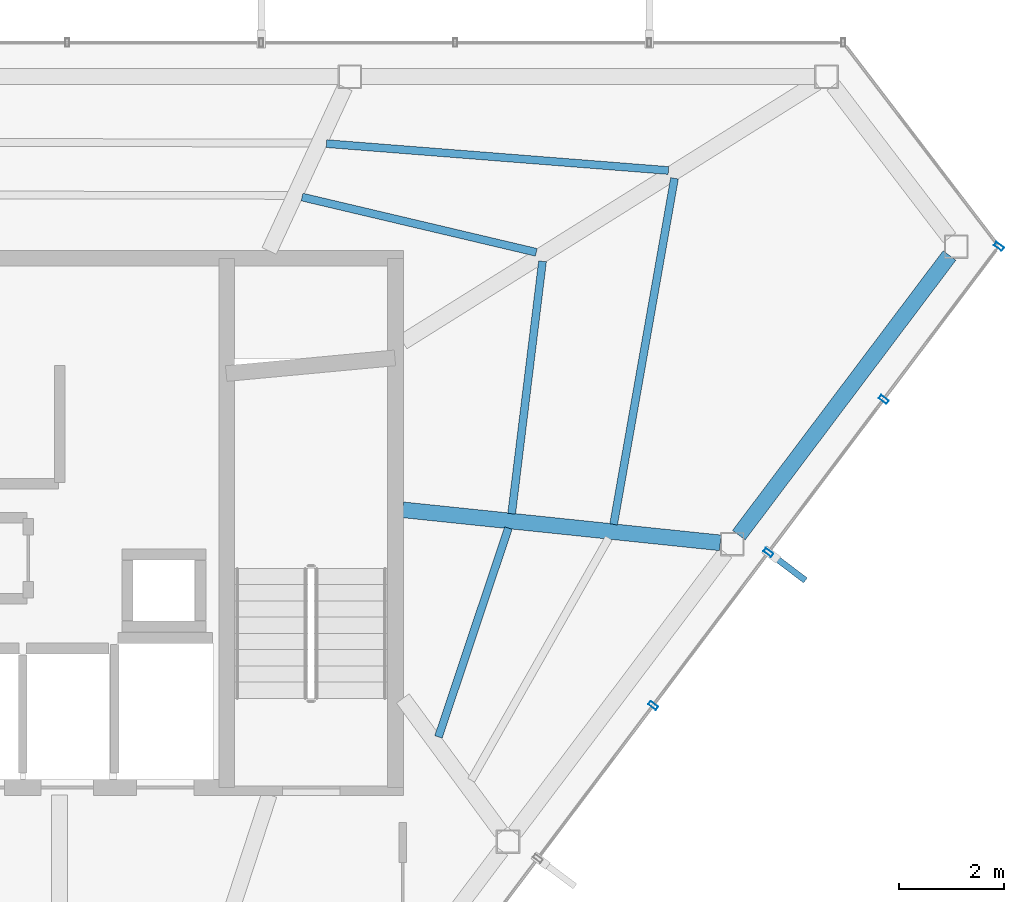
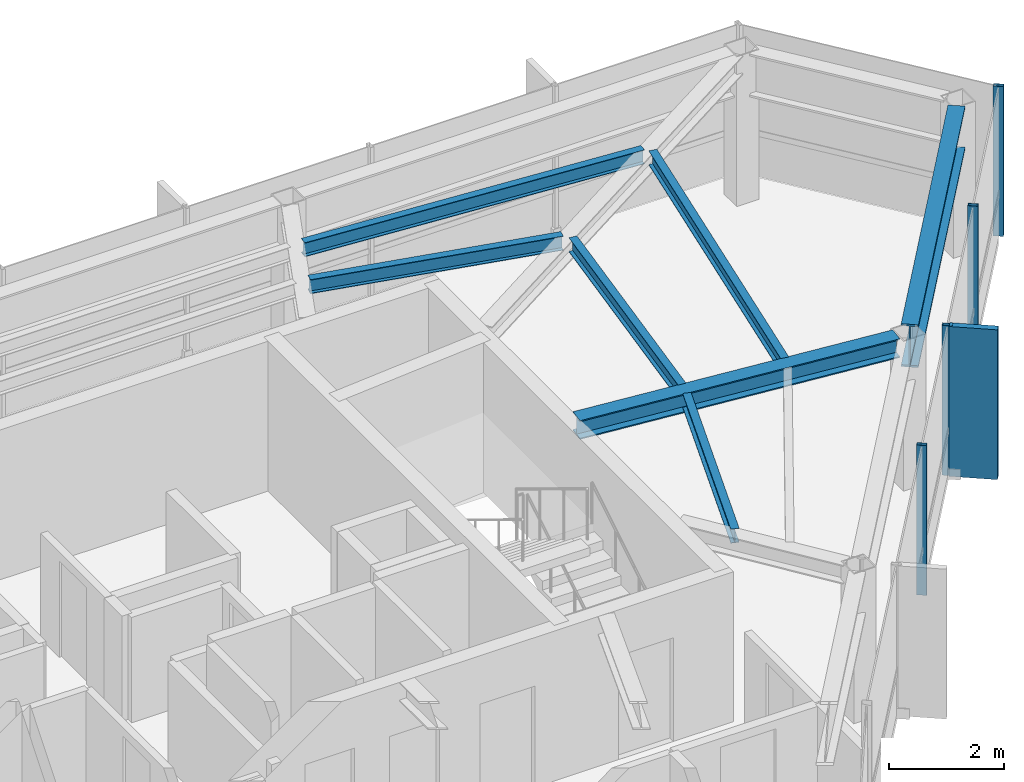
# One storey, part 17 of 22: 7 beams, 5 members, 1 element without a shape of its own.
"""IFC4 building model written with IfcOpenShell, lengths in metres."""

import ifcopenshell
import ifcopenshell.guid

model = None  # the IFC model being written
_history = None  # IfcOwnerHistory: only IFC2X3 demands one
_inside = {}  # id of a spatial element -> (the spatial element, [elements in it])
_under = {}  # id of a project, library or spatial element -> (it, [spatial elements below it])
_declared = {}  # id of a project -> (the project, [libraries it declares])
_typed = {}  # id of a type object -> (the type object, [elements of that type])
_made_of = {}  # id of a material, layer set ... -> (it, [elements and type objects made of it])


def new_model(schema):
    """Start an empty IFC model of exactly this schema.

    Asked for "IFC4X3", IfcOpenShell would pick the latest addendum, in which some entities
    have other attributes; the version numbers below select the first issue.
    IFC2X3 requires an IfcOwnerHistory on every rooted entity: one is made here for all.
    """
    global model, _history
    if schema == "IFC4X3":
        model = ifcopenshell.file(schema_version=(4, 3, 0, 0))
    else:
        model = ifcopenshell.file(schema=schema)
    _inside.clear()
    _under.clear()
    _declared.clear()
    _typed.clear()
    _made_of.clear()
    _history = None
    if model.schema == "IFC2X3":
        org = make("IfcOrganization", Name="unknown")
        user = make(
            "IfcPersonAndOrganization",
            ThePerson=make("IfcPerson", FamilyName="unknown"),
            TheOrganization=org,
        )
        app = make(
            "IfcApplication",
            ApplicationDeveloper=org,
            Version="unknown",
            ApplicationFullName="unknown",
            ApplicationIdentifier="unknown",
        )
        _history = make(
            "IfcOwnerHistory",
            OwningUser=user,
            OwningApplication=app,
            ChangeAction="ADDED",
            CreationDate=0,
        )
    return model


def make(cls, **values):
    """One entity of the class cls with the attributes given. An attribute that is None is left unset."""
    return model.create_entity(
        cls, **{name: value for name, value in values.items() if value is not None}
    )


def rooted(cls, **values):
    """An entity with a GlobalId (a new one), such as an element, a storey or a relation."""
    return make(cls, GlobalId=ifcopenshell.guid.new(), OwnerHistory=_history, **values)


def si_unit(unit_type, name, prefix=None):
    """IfcSIUnit, for example si_unit("LENGTHUNIT", "METRE", prefix="MILLI")."""
    return make("IfcSIUnit", UnitType=unit_type, Prefix=prefix, Name=name)


def assignment(units):
    """IfcUnitAssignment: the units of a project."""
    return None if units is None else make("IfcUnitAssignment", Units=units)


def point(xyz):
    """IfcCartesianPoint."""
    return None if xyz is None else make("IfcCartesianPoint", Coordinates=xyz)


def direction(xyz):
    """IfcDirection."""
    return None if xyz is None else make("IfcDirection", DirectionRatios=xyz)


def frame(location, z_axis=None, x_axis=None):
    """IfcAxis2Placement3D, a coordinate frame: its origin and axes. An axis left out is left unset."""
    return make(
        "IfcAxis2Placement3D",
        Location=point(location),
        Axis=direction(z_axis),
        RefDirection=direction(x_axis),
    )


def frame_2d(location, x_axis=None):
    """IfcAxis2Placement2D, a coordinate frame in the plane: its origin and x axis."""
    return make(
        "IfcAxis2Placement2D", Location=point(location), RefDirection=direction(x_axis)
    )


def origin():
    """The frame at (0, 0, 0) with its axes left unset."""
    return frame((0.0, 0.0, 0.0))


def origin_2d():
    """The frame at (0, 0) in the plane with its x axis left unset."""
    return frame_2d((0.0, 0.0))


def place(relative_to, where):
    """IfcLocalPlacement: puts the frame where relative to a parent placement (None: the world)."""
    return make(
        "IfcLocalPlacement", PlacementRelTo=relative_to, RelativePlacement=where
    )


def context(
    kind, dimensions, precision=None, world=None, true_north=None, identifier=None
):
    """IfcGeometricRepresentationContext, for example the 3D "Model" context."""
    return make(
        "IfcGeometricRepresentationContext",
        ContextIdentifier=identifier,
        ContextType=kind,
        CoordinateSpaceDimension=dimensions,
        Precision=precision,
        WorldCoordinateSystem=world,
        TrueNorth=true_north,
    )


def subcontext(parent, identifier, kind, view, scale=None):
    """IfcGeometricRepresentationSubContext, for example "Body" below "Model"."""
    return make(
        "IfcGeometricRepresentationSubContext",
        ContextIdentifier=identifier,
        ContextType=kind,
        ParentContext=parent,
        TargetScale=scale,
        TargetView=view,
    )


def project(units=None, contexts=None):
    """IfcProject with its units and contexts."""
    return rooted(
        "IfcProject",
        Name="project",
        RepresentationContexts=contexts,
        UnitsInContext=assignment(units),
    )


def spatial(cls, under=None, at=None, **own):
    """A site, building, storey or space (cls), placed at a placement, below another one or the project."""
    s = rooted(cls, ObjectPlacement=at, **own)
    if under is not None:
        _under.setdefault(under.id(), (under, []))[1].append(s)
    return s


def profile(cls, at=None, kind="AREA", **sizes):
    """A parametric profile (cls). Its sizes go by their IFC names, for example OverallWidth=200.0."""
    return make(cls, ProfileType=kind, Position=at, **sizes)


def rectangle(**sizes):
    """IfcRectangleProfileDef."""
    return profile("IfcRectangleProfileDef", **sizes)


def hollow_rectangle(**sizes):
    """IfcRectangleHollowProfileDef."""
    return profile("IfcRectangleHollowProfileDef", **sizes)


def i_section(**sizes):
    """IfcIShapeProfileDef."""
    return profile("IfcIShapeProfileDef", **sizes)


def extrude(swept, where, along, depth):
    """IfcExtrudedAreaSolid: the profile swept, set in the frame where, extruded along a direction by depth."""
    return make(
        "IfcExtrudedAreaSolid",
        SweptArea=swept,
        Position=where,
        ExtrudedDirection=direction(along),
        Depth=depth,
    )


def shape(context_of_items, identifier, shape_type, items):
    """IfcShapeRepresentation: the items that make up one representation, for example the "Body"."""
    return make(
        "IfcShapeRepresentation",
        ContextOfItems=context_of_items,
        RepresentationIdentifier=identifier,
        RepresentationType=shape_type,
        Items=items,
    )


def material(Name=None, Category=None):
    """IfcMaterial."""
    return make("IfcMaterial", Name=Name, Category=Category)


def layer(
    of_material, thickness, ventilated=None, Name=None, Category=None, Priority=None
):
    """IfcMaterialLayer: one layer of a wall or slab, of a material (None: an air gap)."""
    return make(
        "IfcMaterialLayer",
        Material=of_material,
        LayerThickness=thickness,
        IsVentilated=ventilated,
        Name=Name,
        Category=Category,
        Priority=Priority,
    )


def layer_set(layers, Name=None):
    """IfcMaterialLayerSet."""
    return make("IfcMaterialLayerSet", MaterialLayers=layers, LayerSetName=Name)


def material_profile(
    of_material, cross_section, Name=None, Category=None, Priority=None
):
    """IfcMaterialProfile: a cross section and its material."""
    return make(
        "IfcMaterialProfile",
        Name=Name,
        Material=of_material,
        Profile=cross_section,
        Priority=Priority,
        Category=Category,
    )


def profile_set(profiles, Name=None, composite=None):
    """IfcMaterialProfileSet."""
    return make(
        "IfcMaterialProfileSet",
        Name=Name,
        MaterialProfiles=profiles,
        CompositeProfile=composite,
    )


def made_of(thing, what):
    """Note that an element or type object is made of a material, layer set ...; save() writes the relation."""
    if what is not None:
        _made_of.setdefault(what.id(), (what, []))[1].append(thing)
    return thing


def type_object(cls, material=None, **own):
    """A type object (cls), such as IfcWallType, which elements share."""
    return made_of(rooted(cls, **own), material)


def element(
    cls,
    number,
    at=None,
    inside=None,
    cuts=None,
    type_object=None,
    material=None,
    context=None,
    identifier="Body",
    shape_type=None,
    held_by="IfcProductDefinitionShape",
    body=None,
    shapes=None,
    **own,
):
    """One element of the class cls, such as IfcWall. Its Tag is "e" and its number.

    at: its placement. inside: the storey or other place that contains it. cuts: it is an
    opening in that element (IfcRelVoidsElement). A single representation is given by context,
    identifier, shape_type and body (its items); several are given by shapes. held_by: the class
    of the entity that holds the representations. save() writes the other relations.
    """
    e = rooted(cls, Tag="e%d" % number, ObjectPlacement=at, **own)
    if body is not None:
        shapes = [shape(context, identifier, shape_type, body)]
    if shapes is not None:
        e.Representation = make(held_by, Representations=shapes)
    if inside is not None:
        _inside.setdefault(inside.id(), (inside, []))[1].append(e)
    if cuts is not None:
        rooted(
            "IfcRelVoidsElement", RelatingBuildingElement=cuts, RelatedOpeningElement=e
        )
    if type_object is not None:
        _typed.setdefault(type_object.id(), (type_object, []))[1].append(e)
    return made_of(e, material)


def aggregate(whole, parts):
    """IfcRelAggregates: a whole, such as a stair, and the parts it consists of."""
    return rooted("IfcRelAggregates", RelatingObject=whole, RelatedObjects=parts)


def save(model, path):
    """Write the relations noted so far, then the file.

    IfcRelAggregates (storeys below a building ...), IfcRelContainedInSpatialStructure (elements
    in a storey), IfcRelDefinesByType, IfcRelAssociatesMaterial and IfcRelDeclares: one each for
    every whole, place, type object, material and project.
    """
    for whole, parts in _under.values():
        aggregate(whole, parts)
    for where, things in _inside.values():
        rooted(
            "IfcRelContainedInSpatialStructure",
            RelatedElements=things,
            RelatingStructure=where,
        )
    for kind, things in _typed.values():
        rooted("IfcRelDefinesByType", RelatedObjects=things, RelatingType=kind)
    for what, things in _made_of.values():
        rooted("IfcRelAssociatesMaterial", RelatedObjects=things, RelatingMaterial=what)
    for by, libraries in _declared.values():
        rooted("IfcRelDeclares", RelatingContext=by, RelatedDefinitions=libraries)
    model.write(path)


model = new_model("IFC4")

# Units and contexts
model_context = context("Model", 3, precision=1e-05, world=origin(), true_north=direction((0.0, 1.0)))
body_context = subcontext(model_context, "Body", "Model", "MODEL_VIEW")
ifc_project = project(units=[si_unit("LENGTHUNIT", "METRE"), si_unit("AREAUNIT", "SQUARE_METRE"), si_unit("VOLUMEUNIT", "CUBIC_METRE"), si_unit("PLANEANGLEUNIT", "RADIAN"), si_unit("MASSUNIT", "GRAM", prefix="KILO")], contexts=[model_context])

# Site, building, storey
site_placement = place(None, origin())
site = spatial("IfcSite", under=ifc_project, at=site_placement, CompositionType="ELEMENT")
building_placement = place(site_placement, origin())
building = spatial("IfcBuilding", under=site, at=building_placement, Name="Zarrinselat Tower", CompositionType="ELEMENT")
storey_placement = place(building_placement, frame((0.0, 0.0, 292.39990234375)))
storey = spatial("IfcBuildingStorey", under=building, at=storey_placement, Name="L75", CompositionType="ELEMENT", Elevation=292.39990234375)

# Beams
ifc_material_1 = material(Name="Steel S355J2", Category="steel")
ifc_material_profile_1 = material_profile(ifc_material_1, i_section(OverallWidth=0.300048828125, OverallDepth=0.39990234375, WebThickness=0.013427734375, FlangeThickness=0.02392578125, at=origin_2d()), Name="HEB 400")
ifc_profile_set_1 = profile_set([ifc_material_profile_1], Name="Steel S355J2")
beam_type_1 = type_object("IfcBeamType", Name="BM-HEB400", PredefinedType="BEAM", material=ifc_profile_set_1)
beam_1_placement = place(storey_placement, frame((48.35009765625, 38.60009765625, 2.97998046875), z_axis=(0.994627954589, -0.103514404557, 0.0), x_axis=(0.103514404557, 0.994627954589, 0.0)))
element("IfcBeam", 1, at=beam_1_placement, inside=storey, type_object=beam_type_1, Name="L75 Radial Primary Girder RG14", PredefinedType="BEAM", context=body_context, shape_type="SweptSolid", body=[
    extrude(i_section(OverallWidth=0.300048828125, OverallDepth=0.39990234375, WebThickness=0.013427734375, FlangeThickness=0.02392578125, at=origin_2d()), origin(), (0.0, 0.0, 1.0), 6.092041015625),
])
ifc_material_2 = material(Name="Steel S460M", Category="steel")
ifc_material_profile_2 = material_profile(ifc_material_2, i_section(OverallWidth=0.302001953125, OverallDepth=0.909912109375, WebThickness=0.02099609375, FlangeThickness=0.0400390625, at=origin_2d()), Name="HEM 900")
ifc_profile_set_2 = profile_set([ifc_material_profile_2], Name="Steel S460M")
beam_type_2 = type_object("IfcBeamType", Name="BM-HEM900", PredefinedType="BEAM", material=ifc_profile_set_2)
beam_2_placement = place(storey_placement, frame((54.763427734375, 38.115966796875, 2.72509765625), z_axis=(0.601641502022, 0.798766238048, 0.0), x_axis=(-0.798766238048, 0.601641502022, 0.0)))
element("IfcBeam", 2, at=beam_2_placement, inside=storey, type_object=beam_type_2, Name="L75 Perimeter Spandrel Girder SP14", PredefinedType="BEAM", context=body_context, shape_type="SweptSolid", body=[
    extrude(i_section(OverallWidth=0.302001953125, OverallDepth=0.909912109375, WebThickness=0.02099609375, FlangeThickness=0.0400390625, at=origin_2d()), origin(), (0.0, 0.0, 1.0), 6.681640625),
])
ifc_material_3 = material(Name="Steel S355J2", Category="steel")
ifc_material_profile_3 = material_profile(ifc_material_3, i_section(OverallWidth=0.14990234375, OverallDepth=0.300048828125, WebThickness=0.007080078125, FlangeThickness=0.0107421875, at=origin_2d()), Name="IPE 300")
ifc_profile_set_3 = profile_set([ifc_material_profile_3], Name="Steel S355J2")
beam_type_3 = type_object("IfcBeamType", Name="BM-IPE300", PredefinedType="JOIST", material=ifc_profile_set_3)
beam_3_placement = place(storey_placement, frame((49.031494140625, 34.266357421875, 3.030029296875), z_axis=(0.31739488933, 0.948293458918, 0.0), x_axis=(-0.948293458918, 0.31739488933, 0.0)))
element("IfcBeam", 3, at=beam_3_placement, inside=storey, type_object=beam_type_3, Name="L75 Composite Floor Joist 4-2", PredefinedType="JOIST", context=body_context, shape_type="SweptSolid", body=[
    extrude(i_section(OverallWidth=0.14990234375, OverallDepth=0.300048828125, WebThickness=0.007080078125, FlangeThickness=0.0107421875, at=origin_2d()), origin(), (0.0, 0.0, 1.0), 4.20361328125),
])
beam_4_placement = place(storey_placement, frame((52.37353515625, 38.32177734375, 3.030029296875), z_axis=(0.173253642089, 0.984877238798, 0.0), x_axis=(-0.984877238798, 0.173253642089, 0.0)))
element("IfcBeam", 4, at=beam_4_placement, inside=storey, type_object=beam_type_3, Name="L75 Composite Floor Joist 5-1", PredefinedType="JOIST", context=body_context, shape_type="SweptSolid", body=[
    extrude(i_section(OverallWidth=0.14990234375, OverallDepth=0.300048828125, WebThickness=0.007080078125, FlangeThickness=0.0107421875, at=origin_2d()), origin(), (0.0, 0.0, 1.0), 6.7060546875),
])
beam_5_placement = place(storey_placement, frame((50.42724609375, 38.524658203125, 3.030029296875), z_axis=(0.121415788732, 0.992601735968, 0.0), x_axis=(-0.992601735968, 0.121415788732, 0.0)))
element("IfcBeam", 5, at=beam_5_placement, inside=storey, type_object=beam_type_3, Name="L75 Composite Floor Joist 5-2", PredefinedType="JOIST", context=body_context, shape_type="SweptSolid", body=[
    extrude(i_section(OverallWidth=0.14990234375, OverallDepth=0.300048828125, WebThickness=0.007080078125, FlangeThickness=0.0107421875, at=origin_2d()), origin(), (0.0, 0.0, 1.0), 4.85400390625),
])
beam_6_placement = place(storey_placement, frame((46.893310546875, 45.588623046875, 3.030029296875), z_axis=(0.996922968668, -0.078387464188, 0.0), x_axis=(0.078387464188, 0.996922968668, 0.0)))
element("IfcBeam", 6, at=beam_6_placement, inside=storey, type_object=beam_type_3, Name="L75 Composite Floor Joist 6-1", PredefinedType="JOIST", context=body_context, shape_type="SweptSolid", body=[
    extrude(i_section(OverallWidth=0.14990234375, OverallDepth=0.300048828125, WebThickness=0.007080078125, FlangeThickness=0.0107421875, at=origin_2d()), origin(), (0.0, 0.0, 1.0), 6.546875),
])
beam_7_placement = place(storey_placement, frame((46.427490234375, 44.56884765625, 3.030029296875), z_axis=(0.973262878143, -0.229694079221, 0.0), x_axis=(0.229694079221, 0.973262878143, 0.0)))
element("IfcBeam", 7, at=beam_7_placement, inside=storey, type_object=beam_type_3, Name="L75 Composite Floor Joist 6-2", PredefinedType="JOIST", context=body_context, shape_type="SweptSolid", body=[
    extrude(i_section(OverallWidth=0.14990234375, OverallDepth=0.300048828125, WebThickness=0.007080078125, FlangeThickness=0.0107421875, at=origin_2d()), origin(), (0.0, 0.0, 1.0), 4.5927734375),
])

# Curtain wall, members
ifc_material_4 = material(Name="Extruded Aluminium Alloy EN AW-6063 T6", Category="aluminium")
ifc_layer = layer(ifc_material_4, 0.199951171875)
ifc_layer_set = layer_set([ifc_layer], Name="Extruded Aluminium Alloy EN AW-6063 T6")
curtain_wall_type = type_object("IfcCurtainWallType", Name="CWS-BLADE", PredefinedType="NOTDEFINED", material=ifc_layer_set)
curtain_wall_placement = place(storey_placement, origin())
curtain_wall = element("IfcCurtainWall", 8, at=curtain_wall_placement, inside=storey, type_object=curtain_wall_type, Name="L75 Unitised Curtain Wall CW-L75-E05", PredefinedType="NOTDEFINED")
ifc_material_5 = material(Name="Extruded Aluminium Alloy EN AW-6063 T6", Category="aluminium")
ifc_material_profile_4 = material_profile(ifc_material_5, hollow_rectangle(XDim=0.080078125, YDim=0.179931640625, WallThickness=0.0048828125, at=origin_2d()), Name="RHS 180x80x5")
ifc_profile_set_4 = profile_set([ifc_material_profile_4], Name="Extruded Aluminium Alloy EN AW-6063 T6")
member_type_1 = type_object("IfcMemberType", Name="MEM-CW-MUL", PredefinedType="MULLION", material=ifc_profile_set_4)
member_1_placement = place(storey_placement, frame((53.12841796875, 34.865234375, 0.0), z_axis=(0.0, 0.0, 1.0), x_axis=(0.601672649155, 0.798742776655, 0.0)))
member_1 = element("IfcMember", 9, at=member_1_placement, type_object=member_type_1, Name="CW-L75-E05 Mullion 6", PredefinedType="MULLION", context=body_context, shape_type="SweptSolid", body=[
    extrude(hollow_rectangle(XDim=0.080078125, YDim=0.179931640625, WallThickness=0.0048828125, at=origin_2d()), origin(), (0.0, 0.0, 1.0), 3.18017578125),
])
member_2_placement = place(storey_placement, frame((55.328125, 37.785400390625, 0.0), z_axis=(0.0, 0.0, 1.0), x_axis=(0.601672649155, 0.798742776655, 0.0)))
member_2 = element("IfcMember", 10, at=member_2_placement, type_object=member_type_1, Name="CW-L75-E05 Mullion 7", PredefinedType="MULLION", context=body_context, shape_type="SweptSolid", body=[
    extrude(hollow_rectangle(XDim=0.080078125, YDim=0.179931640625, WallThickness=0.0048828125, at=origin_2d()), origin(), (0.0, 0.0, 1.0), 3.18017578125),
])
member_3_placement = place(storey_placement, frame((57.52783203125, 40.70556640625, 0.0), z_axis=(0.0, 0.0, 1.0), x_axis=(0.601672649155, 0.798742776655, 0.0)))
member_3 = element("IfcMember", 11, at=member_3_placement, type_object=member_type_1, Name="CW-L75-E05 Mullion 8", PredefinedType="MULLION", context=body_context, shape_type="SweptSolid", body=[
    extrude(hollow_rectangle(XDim=0.080078125, YDim=0.179931640625, WallThickness=0.0048828125, at=origin_2d()), origin(), (0.0, 0.0, 1.0), 3.18017578125),
])
member_4_placement = place(storey_placement, frame((59.7275390625, 43.625732421875, 0.0), z_axis=(0.0, 0.0, 1.0), x_axis=(0.601672649155, 0.798742776655, 0.0)))
member_4 = element("IfcMember", 12, at=member_4_placement, type_object=member_type_1, Name="CW-L75-E05 Mullion 9", PredefinedType="MULLION", context=body_context, shape_type="SweptSolid", body=[
    extrude(hollow_rectangle(XDim=0.080078125, YDim=0.179931640625, WallThickness=0.0048828125, at=origin_2d()), origin(), (0.0, 0.0, 1.0), 3.18017578125),
])
ifc_material_6 = material(Name="Honed Cream Travertine Stone", Category="masonry")
ifc_material_profile_5 = material_profile(ifc_material_6, rectangle(XDim=0.1201171875, YDim=0.85009765625, at=origin_2d()), Name="FIN 850x120")
ifc_profile_set_5 = profile_set([ifc_material_profile_5], Name="Honed Cream Travertine Stone")
member_type_2 = type_object("IfcMemberType", Name="MEM-STONE-FIN", PredefinedType="USERDEFINED", material=ifc_profile_set_5)
member_5_placement = place(storey_placement, frame((55.695556640625, 37.508544921875, 0.0), z_axis=(0.0, 0.0, 1.0), x_axis=(-0.601672649155, -0.798742776655, 0.0)))
member_5 = element("IfcMember", 13, at=member_5_placement, type_object=member_type_2, Name="L75 Stone Shading Fin CW-L75-E05-07", ObjectType="FIN", PredefinedType="USERDEFINED", context=body_context, shape_type="SweptSolid", body=[
    extrude(rectangle(XDim=0.1201171875, YDim=0.85009765625, at=origin_2d()), origin(), (0.0, 0.0, 1.0), 3.18017578125),
])
aggregate(curtain_wall, [member_1, member_2, member_5, member_3, member_4])

save(model, "model.ifc")
